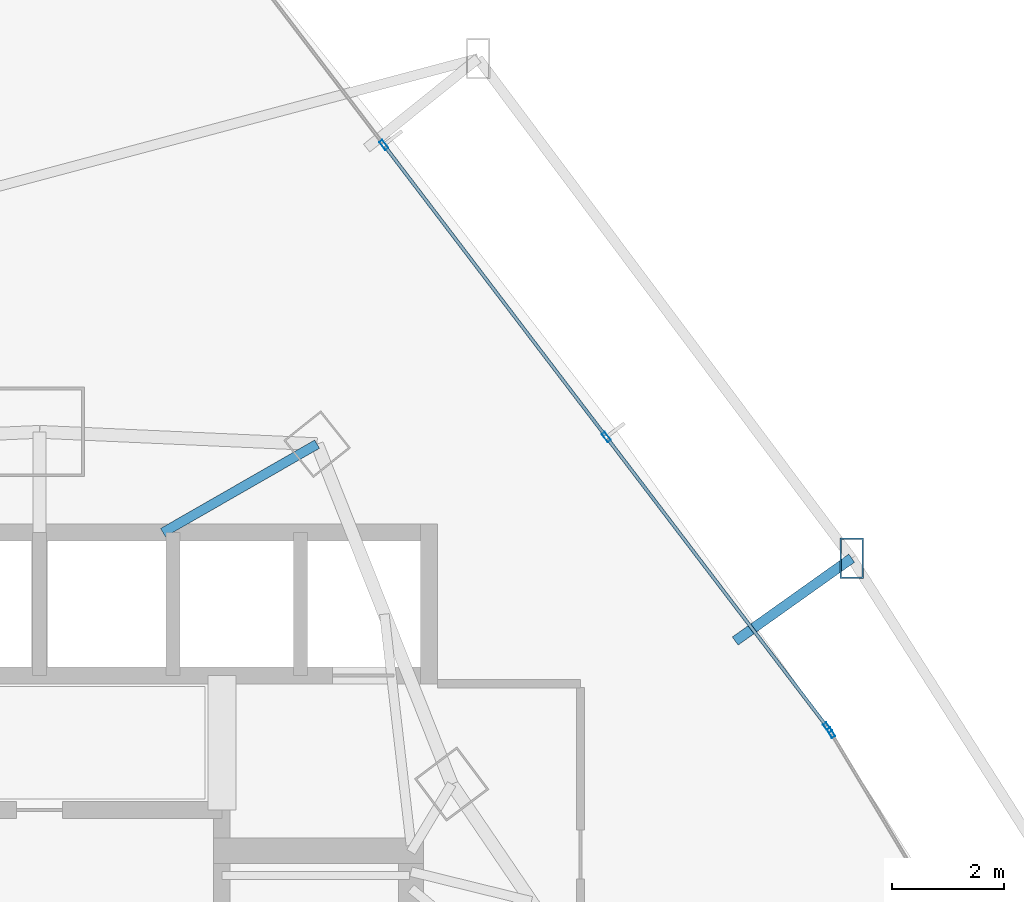
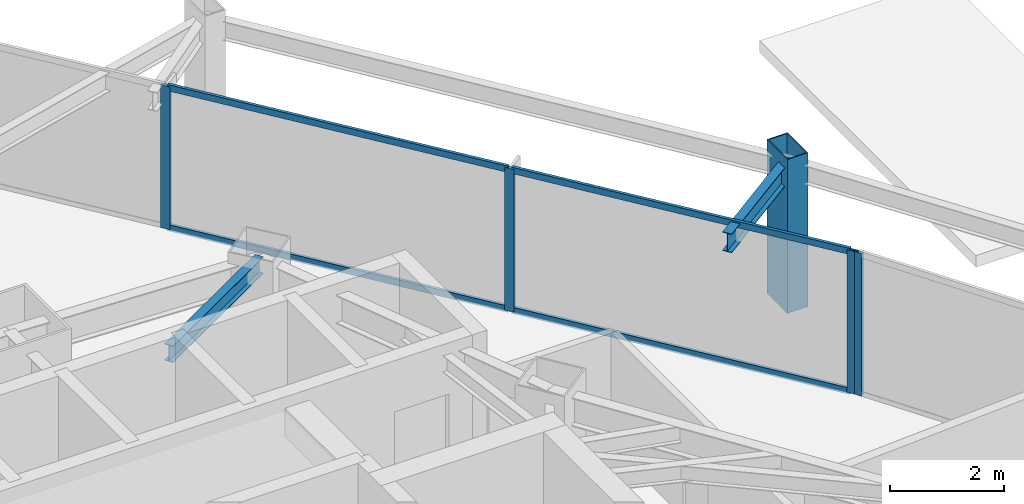
# One storey, part 27 of 35: 9 members, 2 beams, 2 elements without a shape of their own.
"""IFC4 building model written with IfcOpenShell, lengths in metres."""

import ifcopenshell
import ifcopenshell.guid

model = None  # the IFC model being written
_history = None  # IfcOwnerHistory: only IFC2X3 demands one
_inside = {}  # id of a spatial element -> (the spatial element, [elements in it])
_under = {}  # id of a project, library or spatial element -> (it, [spatial elements below it])
_declared = {}  # id of a project -> (the project, [libraries it declares])
_typed = {}  # id of a type object -> (the type object, [elements of that type])
_made_of = {}  # id of a material, layer set ... -> (it, [elements and type objects made of it])


def new_model(schema):
    """Start an empty IFC model of exactly this schema.

    Asked for "IFC4X3", IfcOpenShell would pick the latest addendum, in which some entities
    have other attributes; the version numbers below select the first issue.
    IFC2X3 requires an IfcOwnerHistory on every rooted entity: one is made here for all.
    """
    global model, _history
    if schema == "IFC4X3":
        model = ifcopenshell.file(schema_version=(4, 3, 0, 0))
    else:
        model = ifcopenshell.file(schema=schema)
    _inside.clear()
    _under.clear()
    _declared.clear()
    _typed.clear()
    _made_of.clear()
    _history = None
    if model.schema == "IFC2X3":
        org = make("IfcOrganization", Name="unknown")
        user = make(
            "IfcPersonAndOrganization",
            ThePerson=make("IfcPerson", FamilyName="unknown"),
            TheOrganization=org,
        )
        app = make(
            "IfcApplication",
            ApplicationDeveloper=org,
            Version="unknown",
            ApplicationFullName="unknown",
            ApplicationIdentifier="unknown",
        )
        _history = make(
            "IfcOwnerHistory",
            OwningUser=user,
            OwningApplication=app,
            ChangeAction="ADDED",
            CreationDate=0,
        )
    return model


def make(cls, **values):
    """One entity of the class cls with the attributes given. An attribute that is None is left unset."""
    return model.create_entity(
        cls, **{name: value for name, value in values.items() if value is not None}
    )


def rooted(cls, **values):
    """An entity with a GlobalId (a new one), such as an element, a storey or a relation."""
    return make(cls, GlobalId=ifcopenshell.guid.new(), OwnerHistory=_history, **values)


def si_unit(unit_type, name, prefix=None):
    """IfcSIUnit, for example si_unit("LENGTHUNIT", "METRE", prefix="MILLI")."""
    return make("IfcSIUnit", UnitType=unit_type, Prefix=prefix, Name=name)


def assignment(units):
    """IfcUnitAssignment: the units of a project."""
    return None if units is None else make("IfcUnitAssignment", Units=units)


def point(xyz):
    """IfcCartesianPoint."""
    return None if xyz is None else make("IfcCartesianPoint", Coordinates=xyz)


def direction(xyz):
    """IfcDirection."""
    return None if xyz is None else make("IfcDirection", DirectionRatios=xyz)


def frame(location, z_axis=None, x_axis=None):
    """IfcAxis2Placement3D, a coordinate frame: its origin and axes. An axis left out is left unset."""
    return make(
        "IfcAxis2Placement3D",
        Location=point(location),
        Axis=direction(z_axis),
        RefDirection=direction(x_axis),
    )


def frame_2d(location, x_axis=None):
    """IfcAxis2Placement2D, a coordinate frame in the plane: its origin and x axis."""
    return make(
        "IfcAxis2Placement2D", Location=point(location), RefDirection=direction(x_axis)
    )


def origin():
    """The frame at (0, 0, 0) with its axes left unset."""
    return frame((0.0, 0.0, 0.0))


def origin_2d():
    """The frame at (0, 0) in the plane with its x axis left unset."""
    return frame_2d((0.0, 0.0))


def place(relative_to, where):
    """IfcLocalPlacement: puts the frame where relative to a parent placement (None: the world)."""
    return make(
        "IfcLocalPlacement", PlacementRelTo=relative_to, RelativePlacement=where
    )


def context(
    kind, dimensions, precision=None, world=None, true_north=None, identifier=None
):
    """IfcGeometricRepresentationContext, for example the 3D "Model" context."""
    return make(
        "IfcGeometricRepresentationContext",
        ContextIdentifier=identifier,
        ContextType=kind,
        CoordinateSpaceDimension=dimensions,
        Precision=precision,
        WorldCoordinateSystem=world,
        TrueNorth=true_north,
    )


def subcontext(parent, identifier, kind, view, scale=None):
    """IfcGeometricRepresentationSubContext, for example "Body" below "Model"."""
    return make(
        "IfcGeometricRepresentationSubContext",
        ContextIdentifier=identifier,
        ContextType=kind,
        ParentContext=parent,
        TargetScale=scale,
        TargetView=view,
    )


def project(units=None, contexts=None):
    """IfcProject with its units and contexts."""
    return rooted(
        "IfcProject",
        Name="project",
        RepresentationContexts=contexts,
        UnitsInContext=assignment(units),
    )


def spatial(cls, under=None, at=None, **own):
    """A site, building, storey or space (cls), placed at a placement, below another one or the project."""
    s = rooted(cls, ObjectPlacement=at, **own)
    if under is not None:
        _under.setdefault(under.id(), (under, []))[1].append(s)
    return s


def profile(cls, at=None, kind="AREA", **sizes):
    """A parametric profile (cls). Its sizes go by their IFC names, for example OverallWidth=200.0."""
    return make(cls, ProfileType=kind, Position=at, **sizes)


def hollow_rectangle(**sizes):
    """IfcRectangleHollowProfileDef."""
    return profile("IfcRectangleHollowProfileDef", **sizes)


def i_section(**sizes):
    """IfcIShapeProfileDef."""
    return profile("IfcIShapeProfileDef", **sizes)


def extrude(swept, where, along, depth):
    """IfcExtrudedAreaSolid: the profile swept, set in the frame where, extruded along a direction by depth."""
    return make(
        "IfcExtrudedAreaSolid",
        SweptArea=swept,
        Position=where,
        ExtrudedDirection=direction(along),
        Depth=depth,
    )


def shape(context_of_items, identifier, shape_type, items):
    """IfcShapeRepresentation: the items that make up one representation, for example the "Body"."""
    return make(
        "IfcShapeRepresentation",
        ContextOfItems=context_of_items,
        RepresentationIdentifier=identifier,
        RepresentationType=shape_type,
        Items=items,
    )


def material(Name=None, Category=None):
    """IfcMaterial."""
    return make("IfcMaterial", Name=Name, Category=Category)


def layer(
    of_material, thickness, ventilated=None, Name=None, Category=None, Priority=None
):
    """IfcMaterialLayer: one layer of a wall or slab, of a material (None: an air gap)."""
    return make(
        "IfcMaterialLayer",
        Material=of_material,
        LayerThickness=thickness,
        IsVentilated=ventilated,
        Name=Name,
        Category=Category,
        Priority=Priority,
    )


def layer_set(layers, Name=None):
    """IfcMaterialLayerSet."""
    return make("IfcMaterialLayerSet", MaterialLayers=layers, LayerSetName=Name)


def material_profile(
    of_material, cross_section, Name=None, Category=None, Priority=None
):
    """IfcMaterialProfile: a cross section and its material."""
    return make(
        "IfcMaterialProfile",
        Name=Name,
        Material=of_material,
        Profile=cross_section,
        Priority=Priority,
        Category=Category,
    )


def profile_set(profiles, Name=None, composite=None):
    """IfcMaterialProfileSet."""
    return make(
        "IfcMaterialProfileSet",
        Name=Name,
        MaterialProfiles=profiles,
        CompositeProfile=composite,
    )


def made_of(thing, what):
    """Note that an element or type object is made of a material, layer set ...; save() writes the relation."""
    if what is not None:
        _made_of.setdefault(what.id(), (what, []))[1].append(thing)
    return thing


def type_object(cls, material=None, **own):
    """A type object (cls), such as IfcWallType, which elements share."""
    return made_of(rooted(cls, **own), material)


def element(
    cls,
    number,
    at=None,
    inside=None,
    cuts=None,
    type_object=None,
    material=None,
    context=None,
    identifier="Body",
    shape_type=None,
    held_by="IfcProductDefinitionShape",
    body=None,
    shapes=None,
    **own,
):
    """One element of the class cls, such as IfcWall. Its Tag is "e" and its number.

    at: its placement. inside: the storey or other place that contains it. cuts: it is an
    opening in that element (IfcRelVoidsElement). A single representation is given by context,
    identifier, shape_type and body (its items); several are given by shapes. held_by: the class
    of the entity that holds the representations. save() writes the other relations.
    """
    e = rooted(cls, Tag="e%d" % number, ObjectPlacement=at, **own)
    if body is not None:
        shapes = [shape(context, identifier, shape_type, body)]
    if shapes is not None:
        e.Representation = make(held_by, Representations=shapes)
    if inside is not None:
        _inside.setdefault(inside.id(), (inside, []))[1].append(e)
    if cuts is not None:
        rooted(
            "IfcRelVoidsElement", RelatingBuildingElement=cuts, RelatedOpeningElement=e
        )
    if type_object is not None:
        _typed.setdefault(type_object.id(), (type_object, []))[1].append(e)
    return made_of(e, material)


def aggregate(whole, parts):
    """IfcRelAggregates: a whole, such as a stair, and the parts it consists of."""
    return rooted("IfcRelAggregates", RelatingObject=whole, RelatedObjects=parts)


def save(model, path):
    """Write the relations noted so far, then the file.

    IfcRelAggregates (storeys below a building ...), IfcRelContainedInSpatialStructure (elements
    in a storey), IfcRelDefinesByType, IfcRelAssociatesMaterial and IfcRelDeclares: one each for
    every whole, place, type object, material and project.
    """
    for whole, parts in _under.values():
        aggregate(whole, parts)
    for where, things in _inside.values():
        rooted(
            "IfcRelContainedInSpatialStructure",
            RelatedElements=things,
            RelatingStructure=where,
        )
    for kind, things in _typed.values():
        rooted("IfcRelDefinesByType", RelatedObjects=things, RelatingType=kind)
    for what, things in _made_of.values():
        rooted("IfcRelAssociatesMaterial", RelatedObjects=things, RelatingMaterial=what)
    for by, libraries in _declared.values():
        rooted("IfcRelDeclares", RelatingContext=by, RelatedDefinitions=libraries)
    model.write(path)


model = new_model("IFC4")

# Units and contexts
model_context = context("Model", 3, precision=1e-05, world=origin(), true_north=direction((0.0, 1.0)))
body_context = subcontext(model_context, "Body", "Model", "MODEL_VIEW")
ifc_project = project(units=[si_unit("LENGTHUNIT", "METRE"), si_unit("AREAUNIT", "SQUARE_METRE"), si_unit("VOLUMEUNIT", "CUBIC_METRE"), si_unit("PLANEANGLEUNIT", "RADIAN"), si_unit("MASSUNIT", "GRAM", prefix="KILO")], contexts=[model_context])

# Site, building, storey
site_placement = place(None, origin())
site = spatial("IfcSite", under=ifc_project, at=site_placement, CompositionType="ELEMENT")
building_placement = place(site_placement, origin())
building = spatial("IfcBuilding", under=site, at=building_placement, Name="Orvanel Arch Residences", CompositionType="ELEMENT")
storey_placement = place(building_placement, frame((0.0, 0.0, 26.89990234375)))
storey = spatial("IfcBuildingStorey", under=building, at=storey_placement, Name="L06", CompositionType="ELEMENT", Elevation=26.89990234375)

# Beam
ifc_material_1 = material(Name="Structural steel AS/NZS 3679.1 Grade 300 (300 MPa)", Category="steel")
ifc_material_profile_1 = material_profile(ifc_material_1, i_section(OverallWidth=0.1708984375, OverallDepth=0.35595703125, WebThickness=0.00732421875, FlangeThickness=0.011474609375, at=origin_2d()), Name="360UB50.7")
ifc_profile_set_1 = profile_set([ifc_material_profile_1], Name="Structural steel AS/NZS 3679.1 Grade 300 (300 MPa)")
beam_type_1 = type_object("IfcBeamType", Name="BJ-360UB", PredefinedType="JOIST", material=ifc_profile_set_1)
beam_1_placement = place(storey_placement, frame((35.199951171875, 39.60009765625, 2.882080078125), z_axis=(0.86736513383, 0.497672306458, 0.0), x_axis=(-0.497672306458, 0.86736513383, 0.0)))
element("IfcBeam", 1, at=beam_1_placement, inside=storey, type_object=beam_type_1, Name="L06 MNE Wing Floor Joist", PredefinedType="JOIST", context=body_context, shape_type="SweptSolid", body=[
    extrude(i_section(OverallWidth=0.1708984375, OverallDepth=0.35595703125, WebThickness=0.00732421875, FlangeThickness=0.011474609375, at=origin_2d()), origin(), (0.0, 0.0, 1.0), 3.17041015625),
])

# Member
ifc_material_2 = material(Name="Structural steel AS/NZS 3678 Grade 350", Category="steel")
ifc_material_profile_2 = material_profile(ifc_material_2, hollow_rectangle(XDim=0.419921875, YDim=0.719970703125, WallThickness=0.02490234375, at=origin_2d()), Name="RHS720x420x25")
ifc_profile_set_2 = profile_set([ifc_material_profile_2], Name="Structural steel AS/NZS 3678 Grade 350")
member_type_1 = type_object("IfcMemberType", Name="CH-720RHS-EXT", PredefinedType="CHORD", material=ifc_profile_set_2)
member_1_placement = place(storey_placement, frame((47.489013671875, 39.14306640625, 0.0), z_axis=(0.0, 0.0, 1.0), x_axis=(1.0, 0.0, 0.0)))
element("IfcMember", 2, at=member_1_placement, inside=storey, type_object=member_type_1, Name="L06 Outer Perimeter Frame Post 11", PredefinedType="CHORD", context=body_context, shape_type="SweptSolid", body=[
    extrude(hollow_rectangle(XDim=0.419921875, YDim=0.719970703125, WallThickness=0.02490234375, at=origin_2d()), origin(), (0.0, 0.0, 1.0), 3.300048828125),
])

# Curtain wall, member
ifc_material_3 = material(Name="Bronze-anodised aluminium AA6063-T6", Category="aluminium")
ifc_layer = layer(ifc_material_3, 0.179931640625)
ifc_layer_set = layer_set([ifc_layer], Name="Bronze-anodised aluminium AA6063-T6")
curtain_wall_type = type_object("IfcCurtainWallType", Name="CW2-LOW-SYS", PredefinedType="NOTDEFINED", material=ifc_layer_set)
curtain_wall_1_placement = place(storey_placement, origin())
curtain_wall_1 = element("IfcCurtainWall", 3, at=curtain_wall_1_placement, inside=storey, type_object=curtain_wall_type, Name="L06 CW2-LOW-SYS Unitised Curtain Wall", PredefinedType="NOTDEFINED")
ifc_material_profile_3 = material_profile(ifc_material_3, hollow_rectangle(XDim=0.070068359375, YDim=0.179931640625, WallThickness=0.00439453125, at=origin_2d()), Name="ALU180x70x4.5")
ifc_profile_set_3 = profile_set([ifc_material_profile_3], Name="Bronze-anodised aluminium AA6063-T6")
member_type_2 = type_object("IfcMemberType", Name="MUL-180x70", PredefinedType="MULLION", material=ifc_profile_set_3)
member_2_placement = place(storey_placement, frame((47.12109375, 36.029052734375, 0.0), z_axis=(0.0, 0.0, 1.0), x_axis=(-0.857540386644, -0.514416645603, 0.0)))
member_2 = element("IfcMember", 4, at=member_2_placement, type_object=member_type_2, Name="CW-S2 mullion 3", PredefinedType="MULLION", context=body_context, shape_type="SweptSolid", body=[
    extrude(hollow_rectangle(XDim=0.070068359375, YDim=0.179931640625, WallThickness=0.00439453125, at=origin_2d()), origin(), (0.0, 0.0, 1.0), 3.06005859375),
])
aggregate(curtain_wall_1, [member_2])

# Curtain wall, members
curtain_wall_2_placement = place(storey_placement, origin())
curtain_wall_2 = element("IfcCurtainWall", 5, at=curtain_wall_2_placement, inside=storey, type_object=curtain_wall_type, Name="L06 CW2-LOW-SYS Unitised Curtain Wall", PredefinedType="NOTDEFINED")
member_3_placement = place(storey_placement, frame((47.059814453125, 36.119873046875, 0.0), z_axis=(0.0, 0.0, 1.0), x_axis=(-0.795608016507, -0.605811756299, 0.0)))
member_3 = element("IfcMember", 6, at=member_3_placement, type_object=member_type_2, Name="CW-S2 mullion 1", PredefinedType="MULLION", context=body_context, shape_type="SweptSolid", body=[
    extrude(hollow_rectangle(XDim=0.070068359375, YDim=0.179931640625, WallThickness=0.00439453125, at=origin_2d()), origin(), (0.0, 0.0, 1.0), 3.06005859375),
])
member_4_placement = place(storey_placement, frame((43.111328125, 41.305419921875, 0.0), z_axis=(0.0, 0.0, 1.0), x_axis=(-0.795608016507, -0.605811756299, 0.0)))
member_4 = element("IfcMember", 7, at=member_4_placement, type_object=member_type_2, Name="CW-S2 mullion 2", PredefinedType="MULLION", context=body_context, shape_type="SweptSolid", body=[
    extrude(hollow_rectangle(XDim=0.070068359375, YDim=0.179931640625, WallThickness=0.00439453125, at=origin_2d()), origin(), (0.0, 0.0, 1.0), 3.06005859375),
])
member_5_placement = place(storey_placement, frame((39.1416015625, 46.5185546875, 0.0), z_axis=(0.0, 0.0, 1.0), x_axis=(-0.795608016507, -0.605811756299, 0.0)))
member_5 = element("IfcMember", 8, at=member_5_placement, type_object=member_type_2, Name="CW-S2 mullion 3", PredefinedType="MULLION", context=body_context, shape_type="SweptSolid", body=[
    extrude(hollow_rectangle(XDim=0.070068359375, YDim=0.179931640625, WallThickness=0.00439453125, at=origin_2d()), origin(), (0.0, 0.0, 1.0), 3.06005859375),
])

# Beam
ifc_material_profile_4 = material_profile(ifc_material_1, i_section(OverallWidth=0.177978515625, OverallDepth=0.406005859375, WebThickness=0.0078125, FlangeThickness=0.0126953125, at=origin_2d()), Name="410UB59.7")
ifc_profile_set_4 = profile_set([ifc_material_profile_4], Name="Structural steel AS/NZS 3679.1 Grade 300 (300 MPa)")
beam_type_2 = type_object("IfcBeamType", Name="OB-410UB-EXT", PredefinedType="SPANDREL", material=ifc_profile_set_4)
beam_2_placement = place(storey_placement, frame((45.410888671875, 37.6650390625, 2.857177734375), z_axis=(0.81490910219, 0.579588781092, 0.0), x_axis=(-0.579588781092, 0.81490910219, 0.0)))
element("IfcBeam", 9, at=beam_2_placement, inside=storey, type_object=beam_type_2, Name="L06 Outer Frame Radial Tie Beam 11", PredefinedType="SPANDREL", context=body_context, shape_type="SweptSolid", body=[
    extrude(i_section(OverallWidth=0.177978515625, OverallDepth=0.406005859375, WebThickness=0.0078125, FlangeThickness=0.0126953125, at=origin_2d()), origin(), (0.0, 0.0, 1.0), 2.550048828125),
])

# Member
ifc_material_profile_5 = material_profile(ifc_material_3, hollow_rectangle(XDim=0.06005859375, YDim=0.135009765625, WallThickness=0.00390625, at=origin_2d()), Name="ALU135x60x4")
ifc_profile_set_5 = profile_set([ifc_material_profile_5], Name="Bronze-anodised aluminium AA6063-T6")
member_type_3 = type_object("IfcMemberType", Name="TRN-135x60", PredefinedType="USERDEFINED", material=ifc_profile_set_5)
member_6_placement = place(storey_placement, frame((47.03857421875, 36.147705078125, 0.030029296875), z_axis=(-0.605800188991, 0.795616824243, 0.0), x_axis=(-0.795616824243, -0.605800188991, 0.0)))
member_6 = element("IfcMember", 10, at=member_6_placement, type_object=member_type_3, Name="CW-S2 transom 1.1", ObjectType="TRANSOM", PredefinedType="USERDEFINED", context=body_context, shape_type="SweptSolid", body=[
    extrude(hollow_rectangle(XDim=0.06005859375, YDim=0.135009765625, WallThickness=0.00390625, at=origin_2d()), origin(), (0.0, 0.0, 1.0), 6.44775390625),
])

member_7_placement = place(storey_placement, frame((47.03857421875, 36.147705078125, 3.030029296875), z_axis=(-0.605800188991, 0.795616824243, 0.0), x_axis=(-0.795616824243, -0.605800188991, 0.0)))
member_7 = element("IfcMember", 11, at=member_7_placement, type_object=member_type_3, Name="CW-S2 transom 1.2", ObjectType="TRANSOM", PredefinedType="USERDEFINED", context=body_context, shape_type="SweptSolid", body=[
    extrude(hollow_rectangle(XDim=0.06005859375, YDim=0.135009765625, WallThickness=0.00390625, at=origin_2d()), origin(), (0.0, 0.0, 1.0), 6.44775390625),
])

member_8_placement = place(storey_placement, frame((43.090087890625, 41.333251953125, 0.030029296875), z_axis=(-0.605823058634, 0.795599410273, 0.0), x_axis=(-0.795599410273, -0.605823058634, 0.0)))
member_8 = element("IfcMember", 12, at=member_8_placement, type_object=member_type_3, Name="CW-S2 transom 2.1", ObjectType="TRANSOM", PredefinedType="USERDEFINED", context=body_context, shape_type="SweptSolid", body=[
    extrude(hollow_rectangle(XDim=0.06005859375, YDim=0.135009765625, WallThickness=0.00390625, at=origin_2d()), origin(), (0.0, 0.0, 1.0), 6.482421875),
])

member_9_placement = place(storey_placement, frame((43.090087890625, 41.333251953125, 3.030029296875), z_axis=(-0.605823058634, 0.795599410273, 0.0), x_axis=(-0.795599410273, -0.605823058634, 0.0)))
member_9 = element("IfcMember", 13, at=member_9_placement, type_object=member_type_3, Name="CW-S2 transom 2.2", ObjectType="TRANSOM", PredefinedType="USERDEFINED", context=body_context, shape_type="SweptSolid", body=[
    extrude(hollow_rectangle(XDim=0.06005859375, YDim=0.135009765625, WallThickness=0.00390625, at=origin_2d()), origin(), (0.0, 0.0, 1.0), 6.482421875),
])

aggregate(curtain_wall_2, [member_3, member_4, member_5, member_6, member_7, member_8, member_9])

save(model, "model.ifc")
